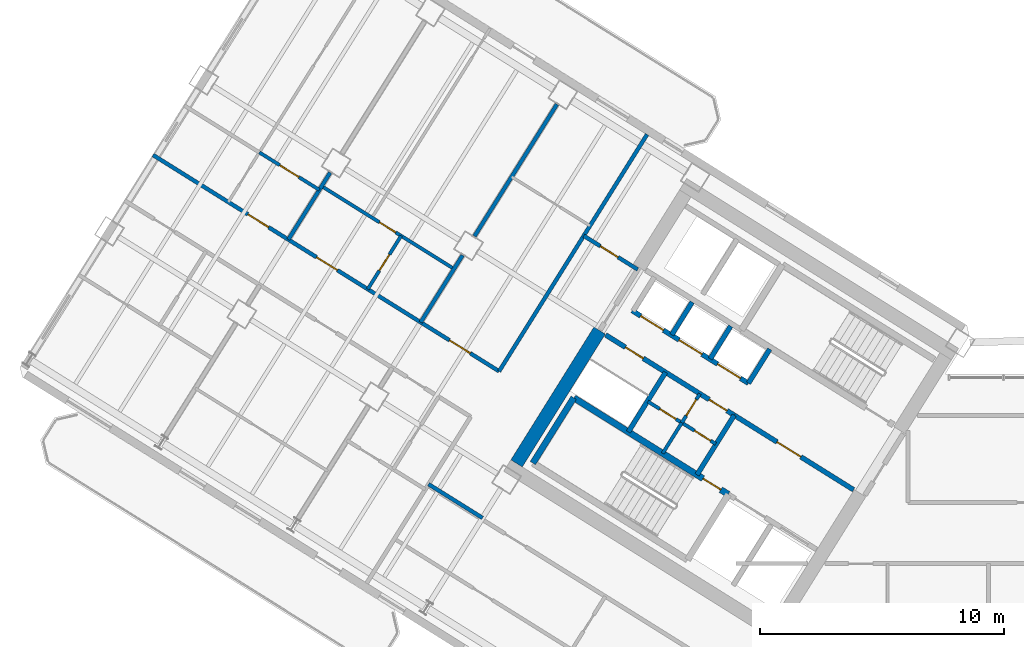
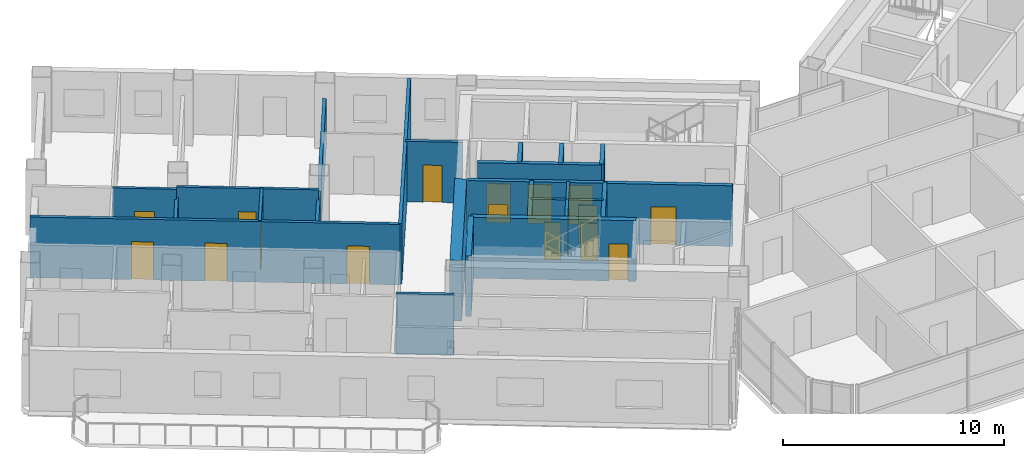
# One storey, part 17 of 25: 24 walls, 17 doors, 17 openings.
"""IFC4 building model written with IfcOpenShell, lengths in metres."""

from ifc_helpers import new_model, si_unit, direction, frame, frame_2d, origin, place, context, subcontext, project, spatial, rectangle, extrude, source, transform, mapped, material, layer, layer_set, type_object, element, fill, save


model = new_model("IFC4")

# Units and contexts
model_context = context("Model", 3, precision=1e-05, world=origin(), true_north=direction((0.0, 1.0)))
body_context = subcontext(model_context, "Body", "Model", "MODEL_VIEW")
ifc_project = project(units=[si_unit("LENGTHUNIT", "METRE"), si_unit("AREAUNIT", "SQUARE_METRE"), si_unit("VOLUMEUNIT", "CUBIC_METRE"), si_unit("PLANEANGLEUNIT", "RADIAN"), si_unit("MASSUNIT", "GRAM", prefix="KILO")], contexts=[model_context])

# Site, building, storey
site_placement = place(None, origin())
site = spatial("IfcSite", under=ifc_project, at=site_placement, CompositionType="ELEMENT")
building_placement = place(site_placement, origin())
building = spatial("IfcBuilding", under=site, at=building_placement, Name="Tlacorven Tower", CompositionType="ELEMENT")
storey_placement = place(building_placement, frame((0.0, 0.0, 155.10009765625)))
storey = spatial("IfcBuildingStorey", under=building, at=storey_placement, Name="L39", CompositionType="ELEMENT", Elevation=155.10009765625)

# Wall
ifc_material_1 = material(Name="Concrete C60/75", Category="concrete")
ifc_layer_1 = layer(ifc_material_1, 0.550048828125)
ifc_layer_set_1 = layer_set([ifc_layer_1], Name="Concrete C60/75")
wall_type_1 = type_object("IfcWallType", Name="WL-COR-550", PredefinedType="SHEAR", material=ifc_layer_set_1)
wall_1_placement = place(storey_placement, frame((26.006591796875, 24.975830078125, 0.0), z_axis=(0.0, 0.0, 1.0), x_axis=(-0.529923795287, -0.848045264823, 0.0)))
element("IfcWall", 1, at=wall_1_placement, inside=storey, type_object=wall_type_1, Name="L39 W core end wall E2.2", PredefinedType="SHEAR", context=body_context, shape_type="SweptSolid", body=[
    extrude(rectangle(XDim=6.425048828125, YDim=0.550048828125, at=frame_2d((3.21240234375, 0.0))), origin(), (0.0, 0.0, 1.0), 3.349853515625),
])

# Wall, opening, door
ifc_material_2 = material(Name="Gypsum plasterboard acoustic partition", Category="gypsum")
ifc_layer_2 = layer(ifc_material_2, 0.159912109375)
ifc_layer_set_2 = layer_set([ifc_layer_2], Name="Gypsum plasterboard acoustic partition")
wall_type_2 = type_object("IfcWallType", Name="WL-DEM-160", PredefinedType="PARTITIONING", material=ifc_layer_set_2)
wall_2_placement = place(storey_placement, frame((27.56982421875, 27.4775390625, 0.0), z_axis=(0.0, 0.0, 1.0), x_axis=(-0.848050851465, 0.529914854792, 0.0)))
wall_2 = element("IfcWall", 2, at=wall_2_placement, inside=storey, type_object=wall_type_2, Name="L39 partition 45", PredefinedType="PARTITIONING", context=body_context, shape_type="SweptSolid", body=[
    extrude(rectangle(XDim=2.60986328125, YDim=0.159912109375, at=frame_2d((1.304931640625, 0.0))), origin(), (0.0, 0.0, 1.0), 3.33984375),
])
opening_1_placement = place(wall_2_placement, frame((0.949951171875, 0.0, 0.0)))
opening_1 = element("IfcOpeningElement", 3, at=opening_1_placement, cuts=wall_2, Name="Opening D19", PredefinedType="OPENING", context=body_context, shape_type="SweptSolid", body=[
    extrude(rectangle(XDim=0.860107421875, YDim=2.050048828125, at=frame_2d((0.43017578125, 1.02490234375))), frame((0.0, 0.08984375, 0.0), z_axis=(0.0, -1.0, 0.0), x_axis=(1.0, 0.0, 0.0)), (0.0, 0.0, 1.0), 0.179931640625),
])
ifc_material_3 = material(Name="Fire-rated steel door assembly", Category="steel")
door_type_1 = type_object("IfcDoorType", Name="DR-RSR-FD60-0860", OperationType="NOTDEFINED", PredefinedType="DOOR", material=ifc_material_3)
shared_shape_1 = source(origin(), body_context, "Body", "SweptSolid", [
    extrude(rectangle(XDim=0.860107421875, YDim=2.050048828125, at=frame_2d((0.43017578125, 1.02490234375))), frame((0.0, 0.02490234375, 0.0), z_axis=(0.0, -1.0, 0.0), x_axis=(1.0, 0.0, 0.0)), (0.0, 0.0, 1.0), 0.050048828125),
])
door_1_placement = place(opening_1_placement, frame((0.860107421875, 0.0, 0.0), z_axis=(0.0, 0.0, 1.0), x_axis=(-1.0, 0.0, 0.0)))
door_1 = element("IfcDoor", 4, at=door_1_placement, inside=storey, type_object=door_type_1, Name="L39 door 022", OperationType="SINGLE_SWING_LEFT", OverallHeight=2.050048828125, OverallWidth=0.860107421875, PredefinedType="DOOR", context=body_context, shape_type="MappedRepresentation", body=[
    mapped(shared_shape_1, transform((0.0, 0.0, 0.0), scale=1.0)),
])
fill(opening_1, door_1)

# Walls
wall_3_placement = place(storey_placement, frame((21.20556640625, 17.29248046875, 0.0), z_axis=(0.0, 0.0, 1.0), x_axis=(-0.848050851465, 0.529914854792, 0.0)))
element("IfcWall", 5, at=wall_3_placement, inside=storey, type_object=wall_type_2, Name="L39 partition 46", PredefinedType="PARTITIONING", context=body_context, shape_type="SweptSolid", body=[
    extrude(rectangle(XDim=2.60986328125, YDim=0.159912109375, at=frame_2d((1.304931640625, 0.0))), origin(), (0.0, 0.0, 1.0), 3.33984375),
])
wall_4_placement = place(storey_placement, frame((27.952880859375, 33.01611328125, 0.0), z_axis=(0.0, 0.0, 1.0), x_axis=(-0.529905022231, -0.848056995381, 0.0)))
element("IfcWall", 6, at=wall_4_placement, inside=storey, type_object=wall_type_2, Name="L39 partition 47", PredefinedType="PARTITIONING", context=body_context, shape_type="SweptSolid", body=[
    extrude(rectangle(XDim=11.449951171875, YDim=0.159912109375, at=frame_2d((5.72509765625, 0.0))), origin(), (0.0, 0.0, 1.0), 3.33984375),
])

# Wall, openings, doors
wall_5_placement = place(storey_placement, frame((21.885498046875, 23.305908203125, 0.0), z_axis=(0.0, 0.0, 1.0), x_axis=(-0.848052408131, 0.529912363569, 0.0)))
wall_5 = element("IfcWall", 7, at=wall_5_placement, inside=storey, type_object=wall_type_2, Name="L39 Wing W Corridor South Wall", PredefinedType="PARTITIONING", context=body_context, shape_type="SweptSolid", body=[
    extrude(rectangle(XDim=16.72998046875, YDim=0.159912109375, at=frame_2d((8.364990234375, 0.0))), origin(), (0.0, 0.0, 1.0), 3.33984375),
])
opening_2_placement = place(wall_5_placement, frame((1.39501953125, 0.0, 0.0)))
opening_2 = element("IfcOpeningElement", 8, at=opening_2_placement, cuts=wall_5, Name="Opening D11", PredefinedType="OPENING", context=body_context, shape_type="SweptSolid", body=[
    extrude(rectangle(XDim=1.0, YDim=2.10009765625, at=frame_2d((0.5, 1.050048828125))), frame((0.0, 0.08984375, 0.0), z_axis=(0.0, -1.0, 0.0), x_axis=(1.0, 0.0, 0.0)), (0.0, 0.0, 1.0), 0.179931640625),
])
opening_3_placement = place(wall_5_placement, frame((7.820068359375, 0.0, 0.0)))
opening_3 = element("IfcOpeningElement", 9, at=opening_3_placement, cuts=wall_5, Name="Opening D11", PredefinedType="OPENING", context=body_context, shape_type="SweptSolid", body=[
    extrude(rectangle(XDim=1.0, YDim=2.10009765625, at=frame_2d((0.5, 1.050048828125))), frame((0.0, 0.08984375, 0.0), z_axis=(0.0, -1.0, 0.0), x_axis=(1.0, 0.0, 0.0)), (0.0, 0.0, 1.0), 0.179931640625),
])
opening_4_placement = place(wall_5_placement, frame((11.139892578125, 0.0, 0.0)))
opening_4 = element("IfcOpeningElement", 10, at=opening_4_placement, cuts=wall_5, Name="Opening D11", PredefinedType="OPENING", context=body_context, shape_type="SweptSolid", body=[
    extrude(rectangle(XDim=1.0, YDim=2.10009765625, at=frame_2d((0.5, 1.050048828125))), frame((0.0, 0.08984375, 0.0), z_axis=(0.0, -1.0, 0.0), x_axis=(1.0, 0.0, 0.0)), (0.0, 0.0, 1.0), 0.179931640625),
])
door_type_2 = type_object("IfcDoorType", Name="DR-FLT-FD60-1000", OperationType="NOTDEFINED", PredefinedType="DOOR", material=ifc_material_3)
shared_shape_2 = source(origin(), body_context, "Body", "SweptSolid", [
    extrude(rectangle(XDim=1.0, YDim=2.10009765625, at=frame_2d((0.5, 1.050048828125))), frame((0.0, 0.02490234375, 0.0), z_axis=(0.0, -1.0, 0.0), x_axis=(1.0, 0.0, 0.0)), (0.0, 0.0, 1.0), 0.050048828125),
])
door_2_placement = place(opening_2_placement, origin())
door_2 = element("IfcDoor", 11, at=door_2_placement, inside=storey, type_object=door_type_2, Name="L39 door 032", OperationType="SINGLE_SWING_RIGHT", OverallHeight=2.10009765625, OverallWidth=1.0, PredefinedType="DOOR", context=body_context, shape_type="MappedRepresentation", body=[
    mapped(shared_shape_2, transform((0.0, 0.0, 0.0), scale=1.0)),
])
fill(opening_2, door_2)
door_3_placement = place(opening_3_placement, origin())
door_3 = element("IfcDoor", 12, at=door_3_placement, inside=storey, type_object=door_type_2, Name="L39 door 035", OperationType="SINGLE_SWING_LEFT", OverallHeight=2.10009765625, OverallWidth=1.0, PredefinedType="DOOR", context=body_context, shape_type="MappedRepresentation", body=[
    mapped(shared_shape_2, transform((0.0, 0.0, 0.0), scale=1.0)),
])
fill(opening_3, door_3)
door_4_placement = place(opening_4_placement, origin())
door_4 = element("IfcDoor", 13, at=door_4_placement, inside=storey, type_object=door_type_2, Name="L39 door 039", OperationType="SINGLE_SWING_LEFT", OverallHeight=2.10009765625, OverallWidth=1.0, PredefinedType="DOOR", context=body_context, shape_type="MappedRepresentation", body=[
    mapped(shared_shape_2, transform((0.0, 0.0, 0.0), scale=1.0)),
])
fill(opening_4, door_4)

# Walls
wall_6_placement = place(storey_placement, frame((24.255615234375, 34.2509765625, 0.0), z_axis=(0.0, 0.0, 1.0), x_axis=(-0.529919772691, -0.848047778437, 0.0)))
element("IfcWall", 14, at=wall_6_placement, inside=storey, type_object=wall_type_2, Name="L39 WS Demising Wall 1", PredefinedType="PARTITIONING", context=body_context, shape_type="SweptSolid", body=[
    extrude(rectangle(XDim=6.375732421875, YDim=0.159912109375, at=frame_2d((3.18798828125, 0.0))), origin(), (0.0, 0.0, 1.0), 2.77490234375),
])
wall_7_placement = place(storey_placement, frame((20.38720703125, 28.060302734375, 0.0), z_axis=(0.0, 0.0, 1.0), x_axis=(-0.529890499457, -0.848066069705, 0.0)))
element("IfcWall", 15, at=wall_7_placement, inside=storey, type_object=wall_type_2, Name="L39 WS Demising Wall 1", PredefinedType="PARTITIONING", context=body_context, shape_type="SweptSolid", body=[
    extrude(rectangle(XDim=3.238037109375, YDim=0.159912109375, at=frame_2d((1.619140625, 0.0))), origin(), (0.0, 0.0, 1.0), 2.77490234375),
])
wall_8_placement = place(storey_placement, frame((14.959716796875, 31.45166015625, 0.0), z_axis=(0.0, 0.0, 1.0), x_axis=(-0.529924383291, -0.848044897393, 0.0)))
element("IfcWall", 16, at=wall_8_placement, inside=storey, type_object=wall_type_2, Name="L39 WS Demising Wall 2", PredefinedType="PARTITIONING", context=body_context, shape_type="SweptSolid", body=[
    extrude(rectangle(XDim=3.23779296875, YDim=0.159912109375, at=frame_2d((1.618896484375, 0.0))), origin(), (0.0, 0.0, 1.0), 2.77490234375),
])

# Wall, opening, door
ifc_material_4 = material(Name="Moisture-resistant gypsum plumbing wall", Category="gypsum")
ifc_layer_3 = layer(ifc_material_4, 0.139892578125)
ifc_layer_set_3 = layer_set([ifc_layer_3], Name="Moisture-resistant gypsum plumbing wall")
wall_type_3 = type_object("IfcWallType", Name="WL-PLM-140", PredefinedType="PLUMBINGWALL", material=ifc_layer_set_3)
wall_9_placement = place(storey_placement, frame((30.117431640625, 22.383544921875, 0.0), z_axis=(0.0, 0.0, 1.0), x_axis=(-0.529951914384, -0.848027693204, 0.0)))
wall_9 = element("IfcWall", 17, at=wall_9_placement, inside=storey, type_object=wall_type_3, Name="L39 partition 23", PredefinedType="PLUMBINGWALL", context=body_context, shape_type="SweptSolid", body=[
    extrude(rectangle(XDim=1.39990234375, YDim=0.139892578125, at=frame_2d((0.699951171875, 0.0))), origin(), (0.0, 0.0, 1.0), 3.33984375),
])
opening_5_placement = place(wall_9_placement, frame((0.280029296875, 0.0, 0.0)))
opening_5 = element("IfcOpeningElement", 18, at=opening_5_placement, cuts=wall_9, Name="Opening D22", PredefinedType="OPENING", context=body_context, shape_type="SweptSolid", body=[
    extrude(rectangle(XDim=0.780029296875, YDim=2.050048828125, at=frame_2d((0.39013671875, 1.02490234375))), frame((0.0, 0.080078125, 0.0), z_axis=(0.0, -1.0, 0.0), x_axis=(1.0, 0.0, 0.0)), (0.0, 0.0, 1.0), 0.159912109375),
])
ifc_material_5 = material(Name="Powder-coated aluminium and timber door", Category="wood")
door_type_3 = type_object("IfcDoorType", Name="DR-INT-WET-0780", OperationType="NOTDEFINED", PredefinedType="DOOR", material=ifc_material_5)
shared_shape_3 = source(origin(), body_context, "Body", "SweptSolid", [
    extrude(rectangle(XDim=0.780029296875, YDim=2.050048828125, at=frame_2d((0.39013671875, 1.02490234375))), frame((0.0, 0.02490234375, 0.0), z_axis=(0.0, -1.0, 0.0), x_axis=(1.0, 0.0, 0.0)), (0.0, 0.0, 1.0), 0.050048828125),
])
door_5_placement = place(opening_5_placement, origin())
door_5 = element("IfcDoor", 19, at=door_5_placement, inside=storey, type_object=door_type_3, Name="L39 door 011", OperationType="SINGLE_SWING_RIGHT", OverallHeight=2.050048828125, OverallWidth=0.780029296875, PredefinedType="DOOR", context=body_context, shape_type="MappedRepresentation", body=[
    mapped(shared_shape_3, transform((0.0, 0.0, 0.0), scale=1.0)),
])
fill(opening_5, door_5)

# Wall
wall_10_placement = place(storey_placement, frame((29.37548828125, 21.1962890625, 0.0), z_axis=(0.0, 0.0, 1.0), x_axis=(-0.529865479138, -0.848081702443, 0.0)))
element("IfcWall", 20, at=wall_10_placement, inside=storey, type_object=wall_type_3, Name="L39 partition 24", PredefinedType="PLUMBINGWALL", context=body_context, shape_type="SweptSolid", body=[
    extrude(rectangle(XDim=1.47998046875, YDim=0.139892578125, at=frame_2d((0.739990234375, 0.0))), origin(), (0.0, 0.0, 1.0), 3.33984375),
])

# Wall, openings, doors
wall_11_placement = place(storey_placement, frame((30.766357421875, 20.3271484375, 0.0), z_axis=(0.0, 0.0, 1.0), x_axis=(-0.848052663127, 0.529911955482, 0.0)))
wall_11 = element("IfcWall", 21, at=wall_11_placement, inside=storey, type_object=wall_type_3, Name="L39 partition 25", PredefinedType="PLUMBINGWALL", context=body_context, shape_type="SweptSolid", body=[
    extrude(rectangle(XDim=3.27978515625, YDim=0.139892578125, at=frame_2d((1.639892578125, 0.0))), origin(), (0.0, 0.0, 1.0), 3.33984375),
])
opening_6_placement = place(wall_11_placement, frame((0.25, 0.0, 0.0)))
opening_6 = element("IfcOpeningElement", 22, at=opening_6_placement, cuts=wall_11, Name="Opening D22", PredefinedType="OPENING", context=body_context, shape_type="SweptSolid", body=[
    extrude(rectangle(XDim=0.780029296875, YDim=2.050048828125, at=frame_2d((0.39013671875, 1.02490234375))), frame((0.0, 0.080078125, 0.0), z_axis=(0.0, -1.0, 0.0), x_axis=(1.0, 0.0, 0.0)), (0.0, 0.0, 1.0), 0.159912109375),
])
opening_7_placement = place(wall_11_placement, frame((1.919921875, 0.0, 0.0)))
opening_7 = element("IfcOpeningElement", 23, at=opening_7_placement, cuts=wall_11, Name="Opening D22", PredefinedType="OPENING", context=body_context, shape_type="SweptSolid", body=[
    extrude(rectangle(XDim=0.780029296875, YDim=2.050048828125, at=frame_2d((0.39013671875, 1.02490234375))), frame((0.0, 0.080078125, 0.0), z_axis=(0.0, -1.0, 0.0), x_axis=(1.0, 0.0, 0.0)), (0.0, 0.0, 1.0), 0.159912109375),
])
door_6_placement = place(opening_6_placement, origin())
door_6 = element("IfcDoor", 24, at=door_6_placement, inside=storey, type_object=door_type_3, Name="L39 door 012", OperationType="SINGLE_SWING_LEFT", OverallHeight=2.050048828125, OverallWidth=0.780029296875, PredefinedType="DOOR", context=body_context, shape_type="MappedRepresentation", body=[
    mapped(shared_shape_3, transform((0.0, 0.0, 0.0), scale=1.0)),
])
fill(opening_6, door_6)
door_7_placement = place(opening_7_placement, origin())
door_7 = element("IfcDoor", 25, at=door_7_placement, inside=storey, type_object=door_type_3, Name="L39 door 013", OperationType="SINGLE_SWING_RIGHT", OverallHeight=2.050048828125, OverallWidth=0.780029296875, PredefinedType="DOOR", context=body_context, shape_type="MappedRepresentation", body=[
    mapped(shared_shape_3, transform((0.0, 0.0, 0.0), scale=1.0)),
])
fill(opening_7, door_7)

# Wall, opening, door
wall_12_placement = place(storey_placement, frame((20.03857421875, 27.502197265625, 0.0), z_axis=(0.0, 0.0, 1.0), x_axis=(-0.848039019877, 0.529933789039, 0.0)))
wall_12 = element("IfcWall", 26, at=wall_12_placement, inside=storey, type_object=wall_type_3, Name="L39 partition 62", PredefinedType="PLUMBINGWALL", context=body_context, shape_type="SweptSolid", body=[
    extrude(rectangle(XDim=6.400146484375, YDim=0.139892578125, at=frame_2d((3.2001953125, 0.0))), origin(), (0.0, 0.0, 1.0), 3.33984375),
])
opening_8_placement = place(wall_12_placement, frame((2.823974609375, 0.0, 0.0)))
opening_8 = element("IfcOpeningElement", 27, at=opening_8_placement, cuts=wall_12, Name="Opening D22", PredefinedType="OPENING", context=body_context, shape_type="SweptSolid", body=[
    extrude(rectangle(XDim=0.780029296875, YDim=2.050048828125, at=frame_2d((0.39013671875, 1.02490234375))), frame((0.0, 0.080078125, 0.0), z_axis=(0.0, -1.0, 0.0), x_axis=(1.0, 0.0, 0.0)), (0.0, 0.0, 1.0), 0.159912109375),
])
door_8_placement = place(opening_8_placement, origin())
door_8 = element("IfcDoor", 28, at=door_8_placement, inside=storey, type_object=door_type_3, Name="L39 door 036", OperationType="SINGLE_SWING_RIGHT", OverallHeight=2.050048828125, OverallWidth=0.780029296875, PredefinedType="DOOR", context=body_context, shape_type="MappedRepresentation", body=[
    mapped(shared_shape_3, transform((0.0, 0.0, 0.0), scale=1.0)),
])
fill(opening_8, door_8)

wall_13_placement = place(storey_placement, frame((17.867431640625, 28.85888671875, 0.0), z_axis=(0.0, 0.0, 1.0), x_axis=(-0.529913878929, -0.848051461244, 0.0)))
wall_13 = element("IfcWall", 29, at=wall_13_placement, inside=storey, type_object=wall_type_3, Name="L39 partition 63", PredefinedType="PLUMBINGWALL", context=body_context, shape_type="SweptSolid", body=[
    extrude(rectangle(XDim=2.580078125, YDim=0.139892578125, at=frame_2d((1.2900390625, 0.0))), origin(), (0.0, 0.0, 1.0), 3.33984375),
])
opening_9_placement = place(wall_13_placement, frame((0.89990234375, 0.0, 0.0)))
opening_9 = element("IfcOpeningElement", 30, at=opening_9_placement, cuts=wall_13, Name="Opening D22", PredefinedType="OPENING", context=body_context, shape_type="SweptSolid", body=[
    extrude(rectangle(XDim=0.780029296875, YDim=2.050048828125, at=frame_2d((0.39013671875, 1.02490234375))), frame((0.0, 0.080078125, 0.0), z_axis=(0.0, -1.0, 0.0), x_axis=(1.0, 0.0, 0.0)), (0.0, 0.0, 1.0), 0.159912109375),
])
door_9_placement = place(opening_9_placement, origin())
door_9 = element("IfcDoor", 31, at=door_9_placement, inside=storey, type_object=door_type_3, Name="L39 door 037", OperationType="SINGLE_SWING_LEFT", OverallHeight=2.050048828125, OverallWidth=0.780029296875, PredefinedType="DOOR", context=body_context, shape_type="MappedRepresentation", body=[
    mapped(shared_shape_3, transform((0.0, 0.0, 0.0), scale=1.0)),
])
fill(opening_9, door_9)

wall_14_placement = place(storey_placement, frame((14.515625, 30.7412109375, 0.0), z_axis=(0.0, 0.0, 1.0), x_axis=(-0.848059786386, 0.529900555496, 0.0)))
wall_14 = element("IfcWall", 32, at=wall_14_placement, inside=storey, type_object=wall_type_3, Name="L39 partition 67", PredefinedType="PLUMBINGWALL", context=body_context, shape_type="SweptSolid", body=[
    extrude(rectangle(XDim=2.89990234375, YDim=0.139892578125, at=frame_2d((1.449951171875, 0.0))), origin(), (0.0, 0.0, 1.0), 3.33984375),
])
opening_10_placement = place(wall_14_placement, frame((0.989990234375, 0.0, 0.0)))
opening_10 = element("IfcOpeningElement", 33, at=opening_10_placement, cuts=wall_14, Name="Opening D12", PredefinedType="OPENING", context=body_context, shape_type="SweptSolid", body=[
    extrude(rectangle(XDim=0.919921875, YDim=2.080078125, at=frame_2d((0.4599609375, 1.0400390625))), frame((0.0, 0.080078125, 0.0), z_axis=(0.0, -1.0, 0.0), x_axis=(1.0, 0.0, 0.0)), (0.0, 0.0, 1.0), 0.159912109375),
])
door_type_4 = type_object("IfcDoorType", Name="DR-INT-ROOM-0920", OperationType="NOTDEFINED", PredefinedType="DOOR", material=ifc_material_5)
shared_shape_4 = source(origin(), body_context, "Body", "SweptSolid", [
    extrude(rectangle(XDim=0.919921875, YDim=2.080078125, at=frame_2d((0.4599609375, 1.0400390625))), frame((0.0, 0.02490234375, 0.0), z_axis=(0.0, -1.0, 0.0), x_axis=(1.0, 0.0, 0.0)), (0.0, 0.0, 1.0), 0.050048828125),
])
door_10_placement = place(opening_10_placement, origin())
door_10 = element("IfcDoor", 34, at=door_10_placement, inside=storey, type_object=door_type_4, Name="L39 door 040", OperationType="SINGLE_SWING_RIGHT", OverallHeight=2.080078125, OverallWidth=0.919921875, PredefinedType="DOOR", context=body_context, shape_type="MappedRepresentation", body=[
    mapped(shared_shape_4, transform((0.0, 0.0, 0.0), scale=1.0)),
])
fill(opening_10, door_10)

ifc_material_6 = material(Name="Concrete C40/50", Category="concrete")
ifc_layer_4 = layer(ifc_material_6, 0.199951171875)
ifc_layer_set_4 = layer_set([ifc_layer_4], Name="Concrete C40/50")
wall_type_4 = type_object("IfcWallType", Name="WL-SHF-200", PredefinedType="STANDARD", material=ifc_layer_set_4)
wall_15_placement = place(storey_placement, frame((36.416748046875, 18.447265625, 0.0), z_axis=(0.0, 0.0, 1.0), x_axis=(-0.848064879198, 0.529892404805, 0.0)))
wall_15 = element("IfcWall", 35, at=wall_15_placement, inside=storey, type_object=wall_type_4, Name="L39 Core W Smoke Lobby Wall", PredefinedType="STANDARD", context=body_context, shape_type="SweptSolid", body=[
    extrude(rectangle(XDim=5.76806640625, YDim=0.199951171875, at=frame_2d((2.884033203125, 0.0))), origin(), (0.0, 0.0, 1.0), 3.33984375),
])
opening_11_placement = place(wall_15_placement, frame((2.548095703125, 0.0, 0.0)))
opening_11 = element("IfcOpeningElement", 36, at=opening_11_placement, cuts=wall_15, Name="Opening D09", PredefinedType="OPENING", context=body_context, shape_type="SweptSolid", body=[
    extrude(rectangle(XDim=1.14990234375, YDim=2.10009765625, at=frame_2d((0.574951171875, 1.050048828125))), frame((0.0, 0.10986328125, 0.0), z_axis=(0.0, -1.0, 0.0), x_axis=(1.0, 0.0, 0.0)), (0.0, 0.0, 1.0), 0.219970703125),
])
door_type_5 = type_object("IfcDoorType", Name="DR-FFL-FD60-1150", OperationType="NOTDEFINED", PredefinedType="DOOR", material=ifc_material_3)
shared_shape_5 = source(origin(), body_context, "Body", "SweptSolid", [
    extrude(rectangle(XDim=1.14990234375, YDim=2.10009765625, at=frame_2d((0.574951171875, 1.050048828125))), frame((0.0, 0.02490234375, 0.0), z_axis=(0.0, -1.0, 0.0), x_axis=(1.0, 0.0, 0.0)), (0.0, 0.0, 1.0), 0.050048828125),
])
door_11_placement = place(opening_11_placement, origin())
door_11 = element("IfcDoor", 37, at=door_11_placement, inside=storey, type_object=door_type_5, Name="L39 Firefighting Lobby W Fire Door", OperationType="SINGLE_SWING_LEFT", OverallHeight=2.10009765625, OverallWidth=1.14990234375, PredefinedType="DOOR", context=body_context, shape_type="MappedRepresentation", body=[
    mapped(shared_shape_5, transform((0.0, 0.0, 0.0), scale=1.0)),
])
fill(opening_11, door_11)

# Wall, openings, doors
wall_16_placement = place(storey_placement, frame((32.108154296875, 22.81396484375, 0.0), z_axis=(0.0, 0.0, 1.0), x_axis=(-0.848042229521, 0.529928652696, 0.0)))
wall_16 = element("IfcWall", 38, at=wall_16_placement, inside=storey, type_object=wall_type_4, Name="L39 partition 11", PredefinedType="STANDARD", context=body_context, shape_type="SweptSolid", body=[
    extrude(rectangle(XDim=5.6201171875, YDim=0.199951171875, at=frame_2d((2.81005859375, 0.0))), origin(), (0.0, 0.0, 1.0), 3.33984375),
])
opening_12_placement = place(wall_16_placement, frame((0.389892578125, 0.0, 0.0)))
opening_12 = element("IfcOpeningElement", 39, at=opening_12_placement, cuts=wall_16, Name="Opening LD01", PredefinedType="OPENING", context=body_context, shape_type="SweptSolid", body=[
    extrude(rectangle(XDim=1.10009765625, YDim=2.14990234375, at=frame_2d((0.550048828125, 1.074951171875))), frame((0.0, 0.10986328125, 0.0), z_axis=(0.0, -1.0, 0.0), x_axis=(1.0, 0.0, 0.0)), (0.0, 0.0, 1.0), 0.219970703125),
])
opening_13_placement = place(wall_16_placement, frame((2.25, 0.0, 0.0)))
opening_13 = element("IfcOpeningElement", 40, at=opening_13_placement, cuts=wall_16, Name="Opening LD01", PredefinedType="OPENING", context=body_context, shape_type="SweptSolid", body=[
    extrude(rectangle(XDim=1.10009765625, YDim=2.14990234375, at=frame_2d((0.550048828125, 1.074951171875))), frame((0.0, 0.10986328125, 0.0), z_axis=(0.0, -1.0, 0.0), x_axis=(1.0, 0.0, 0.0)), (0.0, 0.0, 1.0), 0.219970703125),
])
opening_14_placement = place(wall_16_placement, frame((4.110107421875, 0.0, 0.0)))
opening_14 = element("IfcOpeningElement", 41, at=opening_14_placement, cuts=wall_16, Name="Opening LD01", PredefinedType="OPENING", context=body_context, shape_type="SweptSolid", body=[
    extrude(rectangle(XDim=1.10009765625, YDim=2.14990234375, at=frame_2d((0.550048828125, 1.074951171875))), frame((0.0, 0.10986328125, 0.0), z_axis=(0.0, -1.0, 0.0), x_axis=(1.0, 0.0, 0.0)), (0.0, 0.0, 1.0), 0.219970703125),
])
door_type_6 = type_object("IfcDoorType", Name="DR-LFT-SLID-1100", OperationType="DOUBLE_DOOR_SLIDING", PredefinedType="DOOR", material=ifc_material_3)
shared_shape_6 = source(origin(), body_context, "Body", "SweptSolid", [
    extrude(rectangle(XDim=1.10009765625, YDim=2.14990234375, at=frame_2d((0.550048828125, 1.074951171875))), frame((0.0, 0.02490234375, 0.0), z_axis=(0.0, -1.0, 0.0), x_axis=(1.0, 0.0, 0.0)), (0.0, 0.0, 1.0), 0.050048828125),
])
door_12_placement = place(opening_12_placement, origin())
door_12 = element("IfcDoor", 42, at=door_12_placement, inside=storey, type_object=door_type_6, Name="L39 Lift PL-M1 Sliding Landing Door", OperationType="DOUBLE_DOOR_SLIDING", OverallHeight=2.14990234375, OverallWidth=1.10009765625, PredefinedType="DOOR", context=body_context, shape_type="MappedRepresentation", body=[
    mapped(shared_shape_6, transform((0.0, 0.0, 0.0), scale=1.0)),
])
fill(opening_12, door_12)
door_13_placement = place(opening_13_placement, origin())
door_13 = element("IfcDoor", 43, at=door_13_placement, inside=storey, type_object=door_type_6, Name="L39 Lift PL-M2 Sliding Landing Door", OperationType="DOUBLE_DOOR_SLIDING", OverallHeight=2.14990234375, OverallWidth=1.10009765625, PredefinedType="DOOR", context=body_context, shape_type="MappedRepresentation", body=[
    mapped(shared_shape_6, transform((0.0, 0.0, 0.0), scale=1.0)),
])
fill(opening_13, door_13)
door_14_placement = place(opening_14_placement, origin())
door_14 = element("IfcDoor", 44, at=door_14_placement, inside=storey, type_object=door_type_6, Name="L39 Lift PL-M3 Sliding Landing Door", OperationType="DOUBLE_DOOR_SLIDING", OverallHeight=2.14990234375, OverallWidth=1.10009765625, PredefinedType="DOOR", context=body_context, shape_type="MappedRepresentation", body=[
    mapped(shared_shape_6, transform((0.0, 0.0, 0.0), scale=1.0)),
])
fill(opening_14, door_14)

# Walls
wall_17_placement = place(storey_placement, frame((32.982421875, 24.21337890625, 0.0), z_axis=(0.0, 0.0, 1.0), x_axis=(-0.529839334948, -0.84809803628, 0.0)))
element("IfcWall", 45, at=wall_17_placement, inside=storey, type_object=wall_type_4, Name="L39 partition 12", PredefinedType="STANDARD", context=body_context, shape_type="SweptSolid", body=[
    extrude(rectangle(XDim=1.650146484375, YDim=0.199951171875, at=frame_2d((0.8251953125, 0.0))), origin(), (0.0, 0.0, 1.0), 3.33984375),
])
for number, where, z_axis, x_axis, name in (
    (46, (31.378662109375, 25.156494140625, 0.0), (0.0, 0.0, 1.0), (-0.529998940003, -0.847998304005, 0.0), "L39 partition 18"),
    (47, (29.80126953125, 26.14208984375, 0.0), (0.0, 0.0, 1.0), (-0.529998940003, -0.847998304005, 0.0), "L39 partition 19"),
):
    element("IfcWall", number, at=place(storey_placement, frame(where, z_axis=z_axis, x_axis=x_axis)), inside=storey, type_object=wall_type_4, Name=name, PredefinedType="STANDARD", context=body_context, shape_type="SweptSolid", body=[
        extrude(rectangle(XDim=1.580078125, YDim=0.199951171875, at=frame_2d((0.7900390625, 0.0))), origin(), (0.0, 0.0, 1.0), 3.33984375),
    ])
for number, where, z_axis, x_axis, name in (
    (48, (31.525146484375, 21.503662109375, 0.0), (0.0, 0.0, 1.0), (-0.529907497854, -0.848055448493, 0.0), "L39 partition 20"),
    (49, (28.709716796875, 23.26318359375, 0.0), (0.0, 0.0, 1.0), (-0.529907497854, -0.848055448493, 0.0), "L39 partition 21"),
):
    element("IfcWall", number, at=place(storey_placement, frame(where, z_axis=z_axis, x_axis=x_axis)), inside=storey, type_object=wall_type_4, Name=name, PredefinedType="STANDARD", context=body_context, shape_type="SweptSolid", body=[
        extrude(rectangle(XDim=2.8798828125, YDim=0.199951171875, at=frame_2d((1.43994140625, 0.0))), origin(), (0.0, 0.0, 1.0), 3.33984375),
    ])

# Wall, openings, doors
wall_18_placement = place(storey_placement, frame((31.525146484375, 21.503662109375, 0.0), z_axis=(0.0, 0.0, 1.0), x_axis=(-0.848040211232, 0.529931882541, 0.0)))
wall_18 = element("IfcWall", 50, at=wall_18_placement, inside=storey, type_object=wall_type_4, Name="L39 Core W North Service Wall", PredefinedType="STANDARD", context=body_context, shape_type="SweptSolid", body=[
    extrude(rectangle(XDim=6.218017578125, YDim=0.199951171875, at=frame_2d((3.10888671875, 0.0))), origin(), (0.0, 0.0, 1.0), 3.33984375),
])
opening_15_placement = place(wall_18_placement, frame((4.39990234375, 0.0, 0.0)))
opening_15 = element("IfcOpeningElement", 51, at=opening_15_placement, cuts=wall_18, Name="Opening D19", PredefinedType="OPENING", context=body_context, shape_type="SweptSolid", body=[
    extrude(rectangle(XDim=0.860107421875, YDim=2.050048828125, at=frame_2d((0.43017578125, 1.02490234375))), frame((0.0, 0.10986328125, 0.0), z_axis=(0.0, -1.0, 0.0), x_axis=(1.0, 0.0, 0.0)), (0.0, 0.0, 1.0), 0.219970703125),
])
opening_16_placement = place(wall_18_placement, frame((0.35009765625, 0.0, 0.0)))
opening_16 = element("IfcOpeningElement", 52, at=opening_16_placement, cuts=wall_18, Name="Opening D19", PredefinedType="OPENING", context=body_context, shape_type="SweptSolid", body=[
    extrude(rectangle(XDim=0.860107421875, YDim=2.050048828125, at=frame_2d((0.43017578125, 1.02490234375))), frame((0.0, 0.10986328125, 0.0), z_axis=(0.0, -1.0, 0.0), x_axis=(1.0, 0.0, 0.0)), (0.0, 0.0, 1.0), 0.219970703125),
])
door_15_placement = place(opening_15_placement, frame((0.860107421875, 0.0, 0.0), z_axis=(0.0, 0.0, 1.0), x_axis=(-1.0, 0.0, 0.0)))
door_15 = element("IfcDoor", 53, at=door_15_placement, inside=storey, type_object=door_type_1, Name="L39 Electrical Riser Access Door W", OperationType="SINGLE_SWING_RIGHT", OverallHeight=2.050048828125, OverallWidth=0.860107421875, PredefinedType="DOOR", context=body_context, shape_type="MappedRepresentation", body=[
    mapped(shared_shape_1, transform((0.0, 0.0, 0.0), scale=1.0)),
])
fill(opening_15, door_15)
door_16_placement = place(opening_16_placement, frame((0.860107421875, 0.0, 0.0), z_axis=(0.0, 0.0, 1.0), x_axis=(-1.0, 0.0, 0.0)))
door_16 = element("IfcDoor", 54, at=door_16_placement, inside=storey, type_object=door_type_1, Name="L39 Cleaning Room Access Door W", OperationType="SINGLE_SWING_LEFT", OverallHeight=2.050048828125, OverallWidth=0.860107421875, PredefinedType="DOOR", context=body_context, shape_type="MappedRepresentation", body=[
    mapped(shared_shape_1, transform((0.0, 0.0, 0.0), scale=1.0)),
])
fill(opening_16, door_16)

# Wall, opening, door
ifc_material_7 = material(Name="Concrete C50/60", Category="concrete")
ifc_layer_5 = layer(ifc_material_7, 0.260009765625)
ifc_layer_set_5 = layer_set([ifc_layer_5], Name="Concrete C50/60")
wall_type_5 = type_object("IfcWallType", Name="WL-STW-260", PredefinedType="SHEAR", material=ifc_layer_set_5)
wall_19_placement = place(storey_placement, frame((31.279541015625, 18.26123046875, 0.0), z_axis=(0.0, 0.0, 1.0), x_axis=(-0.848051618787, 0.529913626805, 0.0)))
wall_19 = element("IfcWall", 55, at=wall_19_placement, inside=storey, type_object=wall_type_5, Name="L39 Stair W1 Lobby Shear Wall", PredefinedType="SHEAR", context=body_context, shape_type="SweptSolid", body=[
    extrude(rectangle(XDim=7.4599609375, YDim=0.260009765625, at=frame_2d((3.72998046875, 0.0))), origin(), (0.0, 0.0, 1.0), 3.349853515625),
])
opening_17_placement = place(wall_19_placement, frame((0.360107421875, 0.0, 0.0)))
opening_17 = element("IfcOpeningElement", 56, at=opening_17_placement, cuts=wall_19, Name="Opening D19", PredefinedType="OPENING", context=body_context, shape_type="SweptSolid", body=[
    extrude(rectangle(XDim=0.860107421875, YDim=2.050048828125, at=frame_2d((0.43017578125, 1.02490234375))), frame((0.0, 0.14013671875, 0.0), z_axis=(0.0, -1.0, 0.0), x_axis=(1.0, 0.0, 0.0)), (0.0, 0.0, 1.0), 0.280029296875),
])
door_17_placement = place(opening_17_placement, frame((0.860107421875, 0.0, 0.0), z_axis=(0.0, 0.0, 1.0), x_axis=(-1.0, 0.0, 0.0)))
door_17 = element("IfcDoor", 57, at=door_17_placement, inside=storey, type_object=door_type_1, Name="L39 Exit Stair W1 Fire Door", OperationType="SINGLE_SWING_LEFT", OverallHeight=2.050048828125, OverallWidth=0.860107421875, PredefinedType="DOOR", context=body_context, shape_type="MappedRepresentation", body=[
    mapped(shared_shape_1, transform((0.0, 0.0, 0.0), scale=1.0)),
])
fill(opening_17, door_17)

# Wall
wall_20_placement = place(storey_placement, frame((24.944580078125, 22.2197265625, 0.0), z_axis=(0.0, 0.0, 1.0), x_axis=(-0.529908658664, -0.84805472316, 0.0)))
element("IfcWall", 58, at=wall_20_placement, inside=storey, type_object=wall_type_5, Name="L39 Stair W1 East Shear Wall", PredefinedType="SHEAR", context=body_context, shape_type="SweptSolid", body=[
    extrude(rectangle(XDim=3.16015625, YDim=0.260009765625, at=frame_2d((1.580078125, 0.0))), origin(), (0.0, 0.0, 1.0), 3.349853515625),
])

save(model, "model.ifc")
